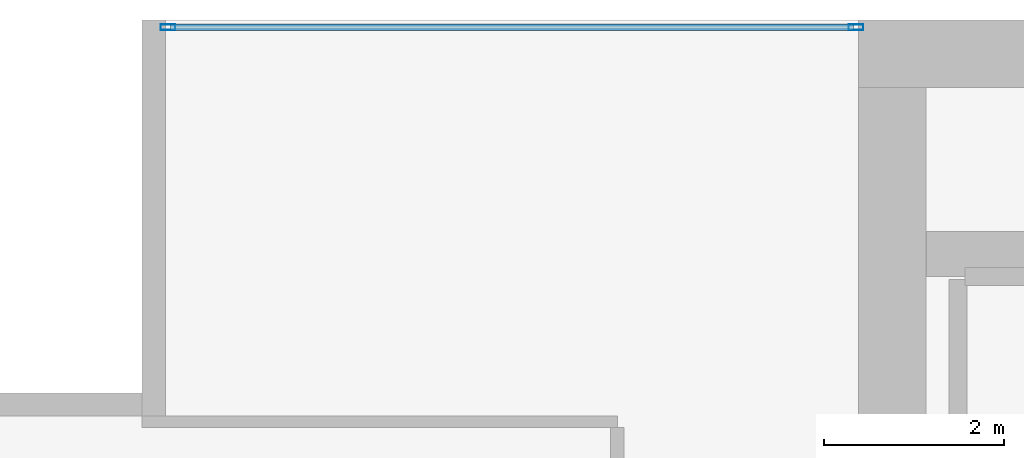
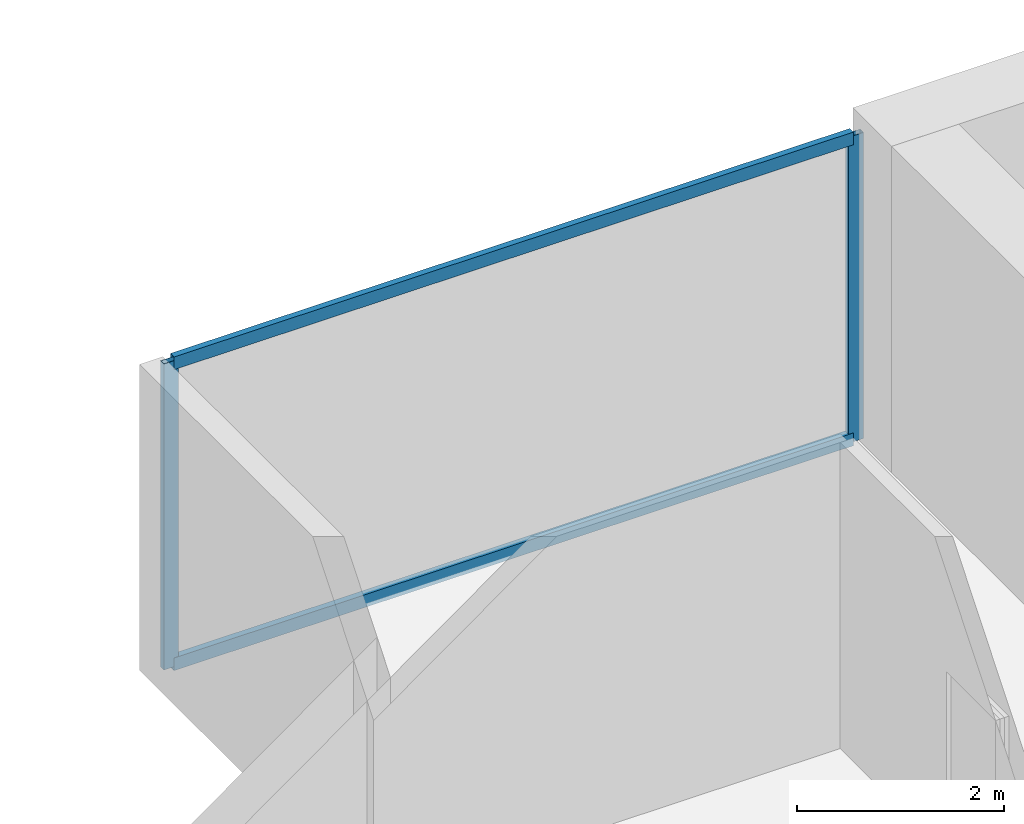
# One storey, part 22 of 33: 4 members, 1 element without a shape of its own.
"""IFC4 building model written with IfcOpenShell, lengths in metres."""

from ifc_helpers import new_model, si_unit, direction, frame, origin, origin_2d, place, context, subcontext, project, spatial, hollow_rectangle, extrude, material, layer, layer_set, material_profile, profile_set, type_object, element, aggregate, save


model = new_model("IFC4")

# Units and contexts
model_context = context("Model", 3, precision=1e-05, world=origin(), true_north=direction((0.0, 1.0)))
body_context = subcontext(model_context, "Body", "Model", "MODEL_VIEW")
ifc_project = project(units=[si_unit("LENGTHUNIT", "METRE"), si_unit("AREAUNIT", "SQUARE_METRE"), si_unit("VOLUMEUNIT", "CUBIC_METRE"), si_unit("PLANEANGLEUNIT", "RADIAN"), si_unit("MASSUNIT", "GRAM", prefix="KILO")], contexts=[model_context])

# Site, building, storey
site_placement = place(None, origin())
site = spatial("IfcSite", under=ifc_project, at=site_placement, CompositionType="ELEMENT")
building_placement = place(site_placement, origin())
building = spatial("IfcBuilding", under=site, at=building_placement, Name="Maruvema Waterfront Hotel and Observation Tower", CompositionType="ELEMENT")
storey_placement = place(building_placement, frame((0.0, 0.0, 150.5)))
storey = spatial("IfcBuildingStorey", under=building, at=storey_placement, Name="L36", CompositionType="ELEMENT", Elevation=150.5)

# Curtain wall, members
ifc_material_1 = material(Name="Anodised bronze aluminium and solar-control low-E IGU", Category="aluminium")
ifc_layer = layer(ifc_material_1, 0.159912109375, Name="Zone 2 Amber Inner Thermal Curtain Wall System CW-03")
ifc_layer_set = layer_set([ifc_layer], Name="Anodised bronze aluminium and solar-control low-E IGU")
curtain_wall_type = type_object("IfcCurtainWallType", Name="Zone 2 Amber Inner Thermal Curtain Wall System CW-03", PredefinedType="USERDEFINED", material=ifc_layer_set)
curtain_wall_placement = place(storey_placement, origin())
curtain_wall = element("IfcCurtainWall", 1, at=curtain_wall_placement, inside=storey, type_object=curtain_wall_type, Name="L36 Curtain Wall CW-L36-NW", ObjectType="UNITISED CURTAIN WALL", PredefinedType="USERDEFINED")
ifc_material_2 = material(Name="Anodised architectural bronze aluminium", Category="aluminium")
ifc_material_profile_1 = material_profile(ifc_material_2, hollow_rectangle(XDim=0.070068359375, YDim=0.14990234375, WallThickness=0.00390625, at=origin_2d()), Name="ALU-T70x150")
ifc_profile_set_1 = profile_set([ifc_material_profile_1], Name="Anodised architectural bronze aluminium")
member_type_1 = type_object("IfcMemberType", Name="Curtain Wall Horizontal Transom ALU-T70x150", PredefinedType="USERDEFINED", material=ifc_profile_set_1)
member_1_placement = place(storey_placement, frame((25.139892578125, 53.919921875, 0.030029296875), z_axis=(-1.0, 0.0, 0.0), x_axis=(0.0, -1.0, 0.0)))
member_1 = element("IfcMember", 2, at=member_1_placement, type_object=member_type_1, Name="CW-03 transom 1.1", ObjectType="TRANSOM", PredefinedType="USERDEFINED", context=body_context, shape_type="SweptSolid", body=[
    extrude(hollow_rectangle(XDim=0.070068359375, YDim=0.14990234375, WallThickness=0.00390625, at=origin_2d()), origin(), (0.0, 0.0, 1.0), 7.579833984375),
])
member_2_placement = place(storey_placement, frame((25.139892578125, 53.919921875, 3.580078125), z_axis=(-1.0, 0.0, 0.0), x_axis=(0.0, -1.0, 0.0)))
member_2 = element("IfcMember", 3, at=member_2_placement, type_object=member_type_1, Name="CW-03 transom 1.2", ObjectType="TRANSOM", PredefinedType="USERDEFINED", context=body_context, shape_type="SweptSolid", body=[
    extrude(hollow_rectangle(XDim=0.070068359375, YDim=0.14990234375, WallThickness=0.00390625, at=origin_2d()), origin(), (0.0, 0.0, 1.0), 7.579833984375),
])
ifc_material_3 = material(Name="Anodised architectural bronze aluminium", Category="aluminium")
ifc_material_profile_2 = material_profile(ifc_material_3, hollow_rectangle(XDim=0.06494140625, YDim=0.1650390625, WallThickness=0.00390625, at=origin_2d()), Name="ALU-M65x165")
ifc_profile_set_2 = profile_set([ifc_material_profile_2], Name="Anodised architectural bronze aluminium")
member_type_2 = type_object("IfcMemberType", Name="Curtain Wall Primary Mullion ALU-M65x165", PredefinedType="MULLION", material=ifc_profile_set_2)
member_3_placement = place(storey_placement, frame((25.169921875, 53.919921875, 0.0), z_axis=(0.0, 0.0, 1.0), x_axis=(0.0, -1.0, 0.0)))
member_3 = element("IfcMember", 4, at=member_3_placement, type_object=member_type_2, Name="CW-03 mullion 1", PredefinedType="MULLION", context=body_context, shape_type="SweptSolid", body=[
    extrude(hollow_rectangle(XDim=0.06494140625, YDim=0.1650390625, WallThickness=0.00390625, at=origin_2d()), origin(), (0.0, 0.0, 1.0), 3.610107421875),
])
member_4_placement = place(storey_placement, frame((17.530029296875, 53.919921875, 0.0), z_axis=(0.0, 0.0, 1.0), x_axis=(0.0, -1.0, 0.0)))
member_4 = element("IfcMember", 5, at=member_4_placement, type_object=member_type_2, Name="CW-03 mullion 2", PredefinedType="MULLION", context=body_context, shape_type="SweptSolid", body=[
    extrude(hollow_rectangle(XDim=0.06494140625, YDim=0.1650390625, WallThickness=0.00390625, at=origin_2d()), origin(), (0.0, 0.0, 1.0), 3.610107421875),
])
aggregate(curtain_wall, [member_3, member_4, member_1, member_2])

save(model, "model.ifc")
